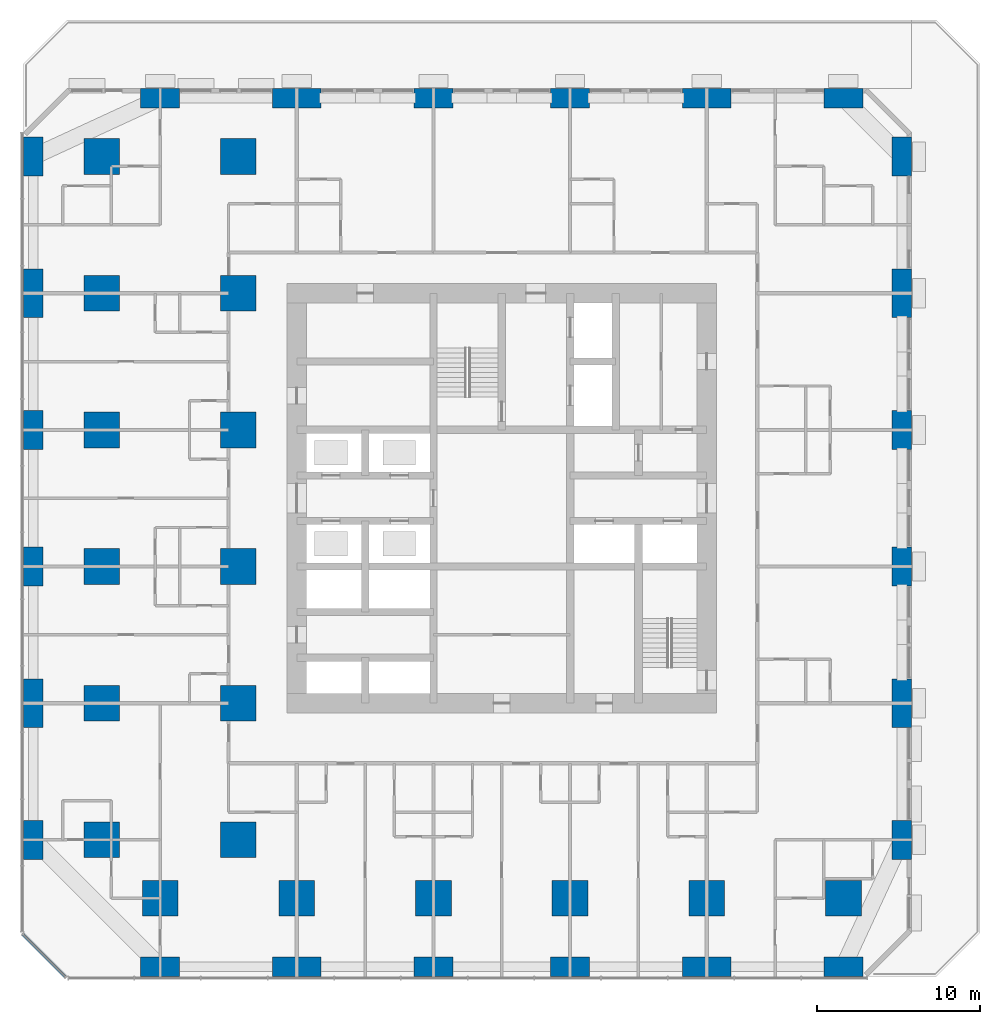
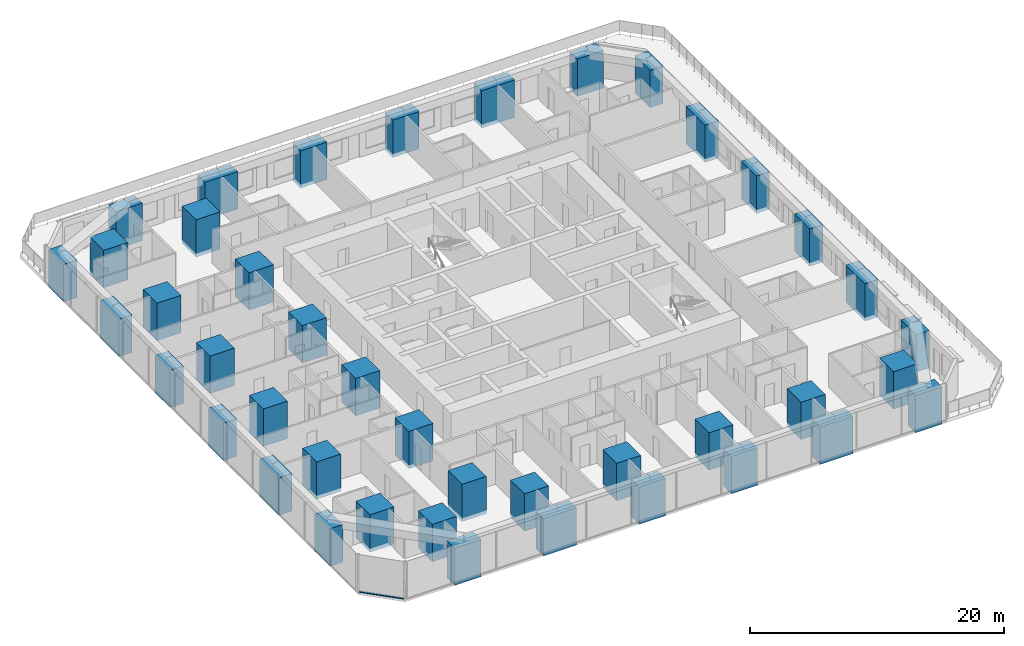
# One storey, part 1 of 16: 42 columns, 1 member, 1 element without a shape of its own.
"""IFC4 building model written with IfcOpenShell, lengths in metres."""

from ifc_helpers import new_model, si_unit, direction, frame, origin, origin_2d, place, context, subcontext, project, spatial, rectangle, extrude, material, material_profile, profile_set, type_object, element, aggregate, save


model = new_model("IFC4")

# Units and contexts
model_context = context("Model", 3, precision=1e-05, world=origin(), true_north=direction((0.0, 1.0)))
body_context = subcontext(model_context, "Body", "Model", "MODEL_VIEW")
ifc_project = project(units=[si_unit("LENGTHUNIT", "METRE"), si_unit("AREAUNIT", "SQUARE_METRE"), si_unit("VOLUMEUNIT", "CUBIC_METRE"), si_unit("PLANEANGLEUNIT", "RADIAN"), si_unit("MASSUNIT", "GRAM", prefix="KILO")], contexts=[model_context])

# Site, building, storey
site_placement = place(None, origin())
site = spatial("IfcSite", under=ifc_project, at=site_placement, CompositionType="ELEMENT")
building_placement = place(site_placement, origin())
building = spatial("IfcBuilding", under=site, at=building_placement, Name="Dunama Terrace Hotel", CompositionType="ELEMENT")
storey_placement = place(building_placement, frame((0.0, 0.0, 93.60009765625)))
storey = spatial("IfcBuildingStorey", under=building, at=storey_placement, Name="L23", CompositionType="ELEMENT", Elevation=93.60009765625)

# Columns
ifc_material_1 = material(Name="Concrete C60/75", Category="concrete")
ifc_material_profile_1 = material_profile(ifc_material_1, rectangle(XDim=1.199951171875, YDim=2.39990234375, at=origin_2d()), Name="RC 1200x2400")
ifc_profile_set_1 = profile_set([ifc_material_profile_1], Name="Concrete C60/75")
column_type_1 = type_object("IfcColumnType", Name="Column RC 1200x2400", PredefinedType="COLUMN", material=ifc_profile_set_1)
for number, where, z_axis, x_axis, name in (
    (1, (0.60009765625, 8.39990234375, -0.35009765625), (0.0, 0.0, 1.0), (1.0, 0.0, 0.0), "Column L23 +0.6/+8.4"),
    (2, (0.60009765625, 25.199951171875, -0.35009765625), (0.0, 0.0, 1.0), (1.0, 0.0, 0.0), "Column L23 +0.6/+25.2"),
    (3, (0.60009765625, 33.60009765625, -0.35009765625), (0.0, 0.0, 1.0), (1.0, 0.0, 0.0), "Column L23 +0.6/+33.6"),
    (4, (0.60009765625, 50.39990234375, -0.35009765625), (0.0, 0.0, 1.0), (1.0, 0.0, 0.0), "Column L23 +0.6/+50.4"),
    (5, (54.0, 8.39990234375, -0.35009765625), (0.0, 0.0, 1.0), (1.0, 0.0, 0.0), "Column L23 +54.0/+8.4"),
    (6, (54.0, 25.199951171875, -0.35009765625), (0.0, 0.0, 1.0), (1.0, 0.0, 0.0), "Column L23 +54.0/+25.2"),
    (7, (54.0, 33.60009765625, -0.35009765625), (0.0, 0.0, 1.0), (1.0, 0.0, 0.0), "Column L23 +54.0/+33.6"),
    (8, (54.0, 50.39990234375, -0.35009765625), (0.0, 0.0, 1.0), (1.0, 0.0, 0.0), "Column L23 +54.0/+50.4"),
):
    element("IfcColumn", number, at=place(storey_placement, frame(where, z_axis=z_axis, x_axis=x_axis)), inside=storey, type_object=column_type_1, Name=name, PredefinedType="COLUMN", context=body_context, shape_type="SweptSolid", body=[
        extrude(rectangle(XDim=1.199951171875, YDim=2.39990234375, at=origin_2d()), origin(), (0.0, 0.0, 1.0), 3.60009765625),
    ])
ifc_material_2 = material(Name="Concrete C60/75", Category="concrete")
ifc_material_profile_2 = material_profile(ifc_material_2, rectangle(XDim=1.199951171875, YDim=3.0, at=origin_2d()), Name="RC 1200x3000")
ifc_profile_set_2 = profile_set([ifc_material_profile_2], Name="Concrete C60/75")
column_type_2 = type_object("IfcColumnType", Name="Column RC 1200x3000", PredefinedType="COLUMN", material=ifc_profile_set_2)
for number, where, z_axis, x_axis, name in (
    (9, (0.60009765625, 16.800048828125, -0.35009765625), (0.0, 0.0, 1.0), (1.0, 0.0, 0.0), "Column L23 +0.6/+16.8"),
    (10, (0.60009765625, 42.0, -0.35009765625), (0.0, 0.0, 1.0), (1.0, 0.0, 0.0), "Column L23 +0.6/+42.0"),
    (11, (54.0, 16.800048828125, -0.35009765625), (0.0, 0.0, 1.0), (1.0, 0.0, 0.0), "Column L23 +54.0/+16.8"),
    (12, (54.0, 42.0, -0.35009765625), (0.0, 0.0, 1.0), (1.0, 0.0, 0.0), "Column L23 +54.0/+42.0"),
):
    element("IfcColumn", number, at=place(storey_placement, frame(where, z_axis=z_axis, x_axis=x_axis)), inside=storey, type_object=column_type_2, Name=name, PredefinedType="COLUMN", context=body_context, shape_type="SweptSolid", body=[
        extrude(rectangle(XDim=1.199951171875, YDim=3.0, at=origin_2d()), origin(), (0.0, 0.0, 1.0), 3.60009765625),
    ])
ifc_material_3 = material(Name="Concrete C60/75", Category="concrete")
ifc_material_profile_3 = material_profile(ifc_material_3, rectangle(XDim=2.199951171875, YDim=2.199951171875, at=origin_2d()), Name="RC 2200x2200")
ifc_profile_set_3 = profile_set([ifc_material_profile_3], Name="Concrete C60/75")
column_type_3 = type_object("IfcColumnType", Name="Column RC 2200x2200", PredefinedType="COLUMN", material=ifc_profile_set_3)
for number, where, z_axis, x_axis, name in (
    (13, (4.800048828125, 8.39990234375, -0.35009765625), (0.0, 0.0, 1.0), (1.0, 0.0, 0.0), "Column L23 +4.8/+8.4"),
    (14, (4.800048828125, 16.800048828125, -0.35009765625), (0.0, 0.0, 1.0), (1.0, 0.0, 0.0), "Column L23 +4.8/+16.8"),
    (15, (4.800048828125, 25.199951171875, -0.35009765625), (0.0, 0.0, 1.0), (1.0, 0.0, 0.0), "Column L23 +4.8/+25.2"),
    (16, (4.800048828125, 33.60009765625, -0.35009765625), (0.0, 0.0, 1.0), (1.0, 0.0, 0.0), "Column L23 +4.8/+33.6"),
    (17, (4.800048828125, 42.0, -0.35009765625), (0.0, 0.0, 1.0), (1.0, 0.0, 0.0), "Column L23 +4.8/+42.0"),
    (18, (4.800048828125, 50.39990234375, -0.35009765625), (0.0, 0.0, 1.0), (1.0, 0.0, 0.0), "Column L23 +4.8/+50.4"),
    (19, (8.39990234375, 4.800048828125, -0.35009765625), (0.0, 0.0, 1.0), (1.0, 0.0, 0.0), "Column L23 +8.4/+4.8"),
    (20, (13.199951171875, 8.39990234375, -0.35009765625), (0.0, 0.0, 1.0), (1.0, 0.0, 0.0), "Column L23 +13.2/+8.4"),
    (21, (13.199951171875, 16.800048828125, -0.35009765625), (0.0, 0.0, 1.0), (1.0, 0.0, 0.0), "Column L23 +13.2/+16.8"),
    (22, (13.199951171875, 25.199951171875, -0.35009765625), (0.0, 0.0, 1.0), (1.0, 0.0, 0.0), "Column L23 +13.2/+25.2"),
    (23, (13.199951171875, 33.60009765625, -0.35009765625), (0.0, 0.0, 1.0), (1.0, 0.0, 0.0), "Column L23 +13.2/+33.6"),
    (24, (13.199951171875, 42.0, -0.35009765625), (0.0, 0.0, 1.0), (1.0, 0.0, 0.0), "Column L23 +13.2/+42.0"),
    (25, (13.199951171875, 50.39990234375, -0.35009765625), (0.0, 0.0, 1.0), (1.0, 0.0, 0.0), "Column L23 +13.2/+50.4"),
    (26, (16.800048828125, 4.800048828125, -0.35009765625), (0.0, 0.0, 1.0), (1.0, 0.0, 0.0), "Column L23 +16.8/+4.8"),
    (27, (25.199951171875, 4.800048828125, -0.35009765625), (0.0, 0.0, 1.0), (1.0, 0.0, 0.0), "Column L23 +25.2/+4.8"),
    (28, (33.60009765625, 4.800048828125, -0.35009765625), (0.0, 0.0, 1.0), (1.0, 0.0, 0.0), "Column L23 +33.6/+4.8"),
    (29, (42.0, 4.800048828125, -0.35009765625), (0.0, 0.0, 1.0), (1.0, 0.0, 0.0), "Column L23 +42.0/+4.8"),
    (30, (50.39990234375, 4.800048828125, -0.35009765625), (0.0, 0.0, 1.0), (1.0, 0.0, 0.0), "Column L23 +50.4/+4.8"),
):
    element("IfcColumn", number, at=place(storey_placement, frame(where, z_axis=z_axis, x_axis=x_axis)), inside=storey, type_object=column_type_3, Name=name, PredefinedType="COLUMN", context=body_context, shape_type="SweptSolid", body=[
        extrude(rectangle(XDim=2.199951171875, YDim=2.199951171875, at=origin_2d()), origin(), (0.0, 0.0, 1.0), 3.60009765625),
    ])
ifc_material_4 = material(Name="Concrete C60/75", Category="concrete")
ifc_material_profile_4 = material_profile(ifc_material_4, rectangle(XDim=2.39990234375, YDim=1.199951171875, at=origin_2d()), Name="RC 2400x1200")
ifc_profile_set_4 = profile_set([ifc_material_profile_4], Name="Concrete C60/75")
column_type_4 = type_object("IfcColumnType", Name="Column RC 2400x1200", PredefinedType="COLUMN", material=ifc_profile_set_4)
for number, where, z_axis, x_axis, name in (
    (31, (8.39990234375, 0.60009765625, -0.35009765625), (0.0, 0.0, 1.0), (1.0, 0.0, 0.0), "Column L23 +8.4/+0.6"),
    (32, (8.39990234375, 54.0, -0.35009765625), (0.0, 0.0, 1.0), (1.0, 0.0, 0.0), "Column L23 +8.4/+54.0"),
    (33, (25.199951171875, 0.60009765625, -0.35009765625), (0.0, 0.0, 1.0), (1.0, 0.0, 0.0), "Column L23 +25.2/+0.6"),
    (34, (25.199951171875, 54.0, -0.35009765625), (0.0, 0.0, 1.0), (1.0, 0.0, 0.0), "Column L23 +25.2/+54.0"),
    (35, (33.60009765625, 0.60009765625, -0.35009765625), (0.0, 0.0, 1.0), (1.0, 0.0, 0.0), "Column L23 +33.6/+0.6"),
    (36, (33.60009765625, 54.0, -0.35009765625), (0.0, 0.0, 1.0), (1.0, 0.0, 0.0), "Column L23 +33.6/+54.0"),
    (37, (50.39990234375, 0.60009765625, -0.35009765625), (0.0, 0.0, 1.0), (1.0, 0.0, 0.0), "Column L23 +50.4/+0.6"),
    (38, (50.39990234375, 54.0, -0.35009765625), (0.0, 0.0, 1.0), (1.0, 0.0, 0.0), "Column L23 +50.4/+54.0"),
):
    element("IfcColumn", number, at=place(storey_placement, frame(where, z_axis=z_axis, x_axis=x_axis)), inside=storey, type_object=column_type_4, Name=name, PredefinedType="COLUMN", context=body_context, shape_type="SweptSolid", body=[
        extrude(rectangle(XDim=2.39990234375, YDim=1.199951171875, at=origin_2d()), origin(), (0.0, 0.0, 1.0), 3.60009765625),
    ])
ifc_material_5 = material(Name="Concrete C60/75", Category="concrete")
ifc_material_profile_5 = material_profile(ifc_material_5, rectangle(XDim=3.0, YDim=1.199951171875, at=origin_2d()), Name="RC 3000x1200")
ifc_profile_set_5 = profile_set([ifc_material_profile_5], Name="Concrete C60/75")
column_type_5 = type_object("IfcColumnType", Name="Column RC 3000x1200", PredefinedType="COLUMN", material=ifc_profile_set_5)
for number, where, z_axis, x_axis, name in (
    (39, (16.800048828125, 0.60009765625, -0.35009765625), (0.0, 0.0, 1.0), (1.0, 0.0, 0.0), "Column L23 +16.8/+0.6"),
    (40, (16.800048828125, 54.0, -0.35009765625), (0.0, 0.0, 1.0), (1.0, 0.0, 0.0), "Column L23 +16.8/+54.0"),
    (41, (42.0, 0.60009765625, -0.35009765625), (0.0, 0.0, 1.0), (1.0, 0.0, 0.0), "Column L23 +42.0/+0.6"),
    (42, (42.0, 54.0, -0.35009765625), (0.0, 0.0, 1.0), (1.0, 0.0, 0.0), "Column L23 +42.0/+54.0"),
):
    element("IfcColumn", number, at=place(storey_placement, frame(where, z_axis=z_axis, x_axis=x_axis)), inside=storey, type_object=column_type_5, Name=name, PredefinedType="COLUMN", context=body_context, shape_type="SweptSolid", body=[
        extrude(rectangle(XDim=3.0, YDim=1.199951171875, at=origin_2d()), origin(), (0.0, 0.0, 1.0), 3.60009765625),
    ])

# Curtain wall, member
ifc_material_6 = material(Name="Aluminium curtain wall system", Category="aluminium")
curtain_wall_type = type_object("IfcCurtainWallType", Name="Unitised fritted glass wall CW-B", PredefinedType="NOTDEFINED", material=ifc_material_6)
curtain_wall_placement = place(storey_placement, origin())
curtain_wall = element("IfcCurtainWall", 43, at=curtain_wall_placement, inside=storey, type_object=curtain_wall_type, Name="Unitised fritted glass wall CW-B L23", PredefinedType="NOTDEFINED")
ifc_material_7 = material(Name="Aluminium transom", Category="aluminium")
ifc_material_profile_6 = material_profile(ifc_material_7, rectangle(XDim=0.179931640625, YDim=0.080078125, at=origin_2d()), Name="CWB TRANSOM 180X80")
ifc_profile_set_6 = profile_set([ifc_material_profile_6], Name="Aluminium transom")
member_type = type_object("IfcMemberType", Name="CWB transom 180x80", PredefinedType="USERDEFINED", material=ifc_profile_set_6)
member_placement = place(storey_placement, frame((-0.031982421875, 2.575927734375, 0.039794921875), z_axis=(0.707106781187, -0.707106781187, 0.0), x_axis=(0.707106781187, 0.707106781187, 0.0)))
member = element("IfcMember", 44, at=member_placement, type_object=member_type, Name="CWB transom", ObjectType="TRANSOM", PredefinedType="USERDEFINED", context=body_context, shape_type="SweptSolid", body=[
    extrude(rectangle(XDim=0.179931640625, YDim=0.080078125, at=origin_2d()), origin(), (0.0, 0.0, 1.0), 3.688232421875),
])
aggregate(curtain_wall, [member])

save(model, "model.ifc")
